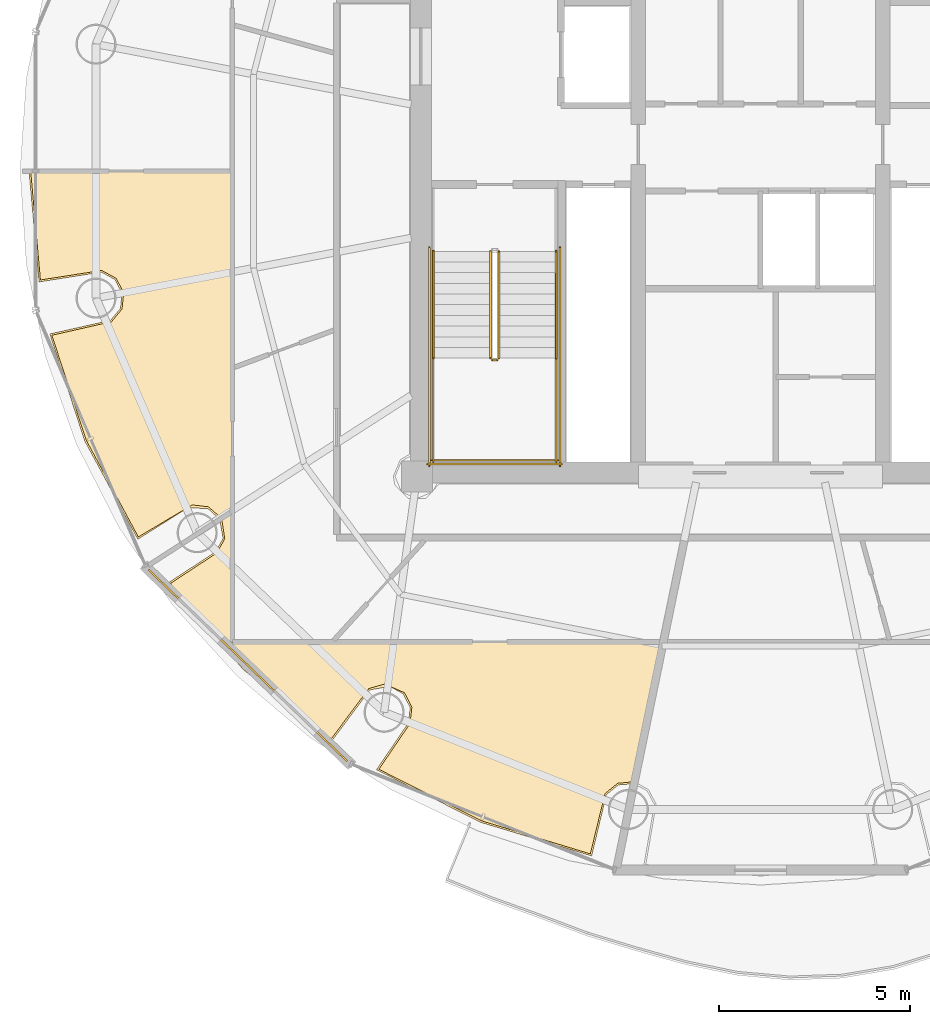
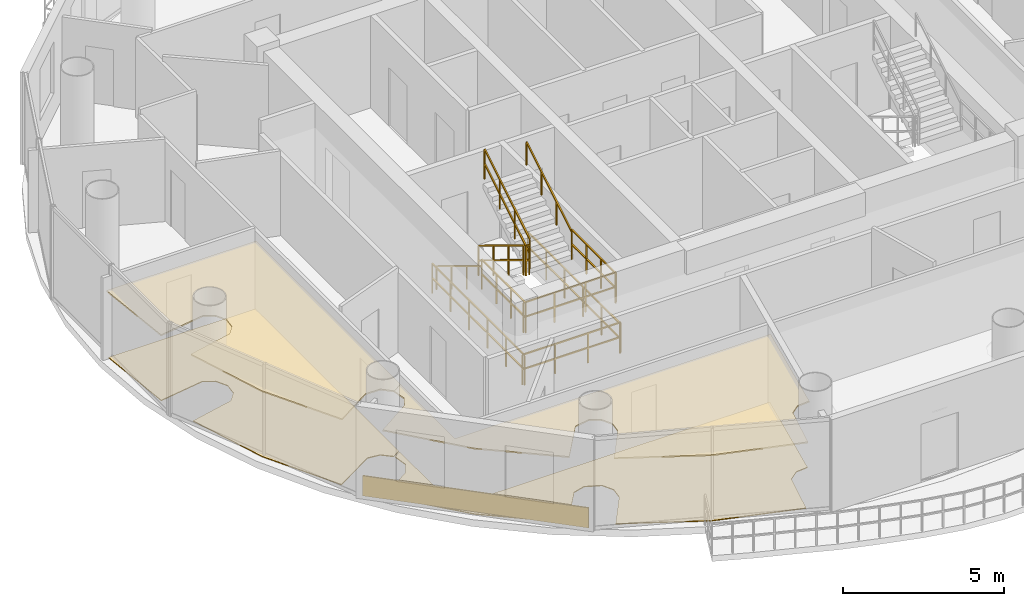
# One storey, part 18 of 21: 11 railings, 5 coverings.
"""IFC4 building model written with IfcOpenShell, lengths in metres."""

from ifc_helpers import new_model, si_unit, direction, frame, origin, origin_2d, place, context, subcontext, project, spatial, polyline, rectangle, outline, extrude, source, transform, mapped, material, layer, layer_set, type_object, element, save


model = new_model("IFC4")

# Units and contexts
model_context = context("Model", 3, precision=1e-05, world=origin(), true_north=direction((-0.2419218956, 0.970295726276)))
body_context = subcontext(model_context, "Body", "Model", "MODEL_VIEW")
ifc_project = project(units=[si_unit("LENGTHUNIT", "METRE"), si_unit("AREAUNIT", "SQUARE_METRE"), si_unit("VOLUMEUNIT", "CUBIC_METRE"), si_unit("PLANEANGLEUNIT", "RADIAN"), si_unit("MASSUNIT", "GRAM", prefix="KILO")], contexts=[model_context])

# Site, building, storey
site_placement = place(None, origin())
site = spatial("IfcSite", under=ifc_project, at=site_placement, CompositionType="ELEMENT")
building_placement = place(site_placement, origin())
building = spatial("IfcBuilding", under=site, at=building_placement, Name="Cobrevalo Terracotta Tower", CompositionType="ELEMENT")
storey_placement = place(building_placement, frame((0.0, 0.0, 281.949951171875)))
storey = spatial("IfcBuildingStorey", under=building, at=storey_placement, Name="L74", CompositionType="ELEMENT", Elevation=281.949951171875)

# Coverings
ifc_material_1 = material(Name="Engineered Brazilian hardwood flooring", Category="wood")
ifc_layer_1 = layer(ifc_material_1, 0.028076171875)
ifc_layer_set_1 = layer_set([ifc_layer_1], Name="Engineered Brazilian hardwood flooring")
covering_type_1 = type_object("IfcCoveringType", Name="Engineered Hardwood Suite Flooring 28", PredefinedType="FLOORING", material=ifc_layer_set_1)
covering_1_placement = place(storey_placement, origin())
element("IfcCovering", 1, at=covering_1_placement, inside=storey, type_object=covering_type_1, Name="Flat L74A Penthouse Family Lounge floor finish", PredefinedType="FLOORING", context=body_context, shape_type="SweptSolid", body=[
    extrude(outline(polyline([(20.33544921875, 19.751220703125), (19.43505859375, 22.49951171875), (20.99755859375, 22.855224609375), (21.272705078125, 23.185302734375), (21.318115234375, 23.612548828125), (21.118408203125, 23.9931640625), (20.740966796875, 24.198486328125), (19.1357421875, 23.948974609375), (18.88134765625, 26.780029296875), (24.14501953125, 26.780029296875), (24.14501953125, 17.900146484375), (23.864501953125, 17.719482421875), (23.537109375, 18.005859375), (23.1103515625, 18.055908203125), (21.699951171875, 17.217529296875), (20.33544921875, 19.751220703125)])), origin(), (0.0, 0.0, 1.0), 0.030029296875),
])
covering_2_placement = place(storey_placement, origin())
element("IfcCovering", 2, at=covering_2_placement, inside=storey, type_object=covering_type_1, Name="Flat L74A Private Cinema Room floor finish", PredefinedType="FLOORING", context=body_context, shape_type="SweptSolid", body=[
    extrude(outline(polyline([(28.00146484375, 11.130126953125), (28.81689453125, 12.327392578125), (28.8671875, 12.754150390625), (28.671630859375, 13.136962890625), (28.152587890625, 13.363525390625), (27.739013671875, 13.246337890625), (26.756103515625, 11.931884765625), (24.47998046875, 13.775390625), (22.5439453125, 16.00048828125), (23.7548828125, 16.794677734375), (23.964599609375, 17.169677734375), (23.885498046875, 17.685546875), (24.14501953125, 17.8525390625), (24.14501953125, 14.445068359375), (35.429931640625, 14.445068359375), (34.678466796875, 10.80322265625), (34.25927734375, 10.763671875), (33.925048828125, 10.49365234375), (33.54052734375, 8.9140625), (30.682861328125, 9.7822265625), (28.00146484375, 11.130126953125)])), origin(), (0.0, 0.0, 1.0), 0.030029296875),
])
ifc_material_2 = material(Name="Acoustic perforated gypsum ceiling", Category="gypsum")
ifc_layer_2 = layer(ifc_material_2, 0.050048828125)
ifc_layer_set_2 = layer_set([ifc_layer_2], Name="Acoustic perforated gypsum ceiling")
covering_type_2 = type_object("IfcCoveringType", Name="Perforated Acoustic Gypsum Ceiling 50", PredefinedType="CEILING", material=ifc_layer_set_2)
covering_3_placement = place(storey_placement, frame((0.0, 0.0, 2.5)))
element("IfcCovering", 3, at=covering_3_placement, inside=storey, type_object=covering_type_2, Name="Flat L74A Penthouse Family Lounge acoustic ceiling", PredefinedType="CEILING", context=body_context, shape_type="SweptSolid", body=[
    extrude(outline(polyline([(20.2939453125, 19.7333984375), (19.3818359375, 22.53515625), (20.97265625, 22.89306640625), (21.23095703125, 23.202880859375), (21.273681640625, 23.60400390625), (21.086181640625, 23.96142578125), (20.731689453125, 24.154296875), (19.100830078125, 23.896484375), (18.833251953125, 26.824951171875), (24.18994140625, 26.824951171875), (24.18994140625, 17.875732421875), (23.853271484375, 17.658935546875), (23.51904296875, 17.964599609375), (22.9873046875, 17.974365234375), (21.687744140625, 17.15625), (20.2939453125, 19.7333984375)])), origin(), (0.0, 0.0, 1.0), 0.050048828125),
])
covering_4_placement = place(storey_placement, frame((0.0, 0.0, 2.5)))
element("IfcCovering", 4, at=covering_4_placement, inside=storey, type_object=covering_type_2, Name="Flat L74A Private Cinema Room acoustic ceiling", PredefinedType="CEILING", context=body_context, shape_type="SweptSolid", body=[
    extrude(outline(polyline([(27.937744140625, 11.11767578125), (28.775634765625, 12.345458984375), (28.822509765625, 12.746337890625), (28.63916015625, 13.10546875), (28.286865234375, 13.30224609375), (27.763427734375, 13.208251953125), (26.768310546875, 11.87060546875), (24.448486328125, 13.742919921875), (22.48046875, 16.01318359375), (23.7236328125, 16.8271484375), (23.92041015625, 17.179443359375), (23.826904296875, 17.701416015625), (24.18994140625, 17.93505859375), (24.18994140625, 14.489990234375), (35.4853515625, 14.489990234375), (34.71435546875, 10.754150390625), (34.2763671875, 10.7216796875), (33.96240234375, 10.46826171875), (33.575439453125, 8.861328125), (30.666259765625, 9.740478515625), (27.937744140625, 11.11767578125)])), origin(), (0.0, 0.0, 1.0), 0.050048828125),
])

# Railings
ifc_material_3 = material(Name="Brushed stainless steel", Category="steel")
railing_type_1 = type_object("IfcRailingType", Name="Stainless Steel Stair Handrail 900", PredefinedType="HANDRAIL", material=ifc_material_3)
railing_1_placement = place(storey_placement, frame((29.425048828125, 24.699951171875, 0.17041015625)))
element("IfcRailing", 5, at=railing_1_placement, inside=storey, type_object=railing_type_1, Name="L74 ST-1 stair handrail 1", PredefinedType="HANDRAIL", context=body_context, shape_type="SweptSolid", body=[
    extrude(rectangle(XDim=0.048095703125, YDim=0.048095703125, at=origin_2d()), frame((0.0, 0.0, 0.8759765625), z_axis=(0.0, -0.854169791009, 0.51999420009), x_axis=(1.0, 0.0, 0.0)), (0.0, 0.0, 1.0), 3.278076171875),
    extrude(rectangle(XDim=0.0419921875, YDim=0.0419921875, at=origin_2d()), origin(), (0.0, 0.0, 1.0), 0.851806640625),
    extrude(rectangle(XDim=0.0419921875, YDim=0.0419921875, at=origin_2d()), frame((0.0, -0.933349609375, 0.568115234375)), (0.0, 0.0, 1.0), 0.851806640625),
    extrude(rectangle(XDim=0.0419921875, YDim=0.0419921875, at=origin_2d()), frame((0.0, -1.86669921875, 1.136474609375)), (0.0, 0.0, 1.0), 0.851806640625),
    extrude(rectangle(XDim=0.0419921875, YDim=0.0419921875, at=origin_2d()), frame((0.0, -2.800048828125, 1.70458984375)), (0.0, 0.0, 1.0), 0.851806640625),
])
railing_2_placement = place(storey_placement, frame((32.64501953125, 21.89990234375, 2.04541015625)))
element("IfcRailing", 6, at=railing_2_placement, inside=storey, type_object=railing_type_1, Name="L74 ST-1 stair handrail 2", PredefinedType="HANDRAIL", context=body_context, shape_type="SweptSolid", body=[
    extrude(rectangle(XDim=0.048095703125, YDim=0.048095703125, at=origin_2d()), frame((0.0, 0.0, 0.8759765625), z_axis=(0.0, 0.854169791009, 0.51999420009), x_axis=(-1.0, 0.0, 0.0)), (0.0, 0.0, 1.0), 3.278076171875),
    extrude(rectangle(XDim=0.0419921875, YDim=0.0419921875, at=origin_2d()), origin(), (0.0, 0.0, 1.0), 0.851806640625),
    extrude(rectangle(XDim=0.0419921875, YDim=0.0419921875, at=origin_2d()), frame((0.0, 0.933349609375, 0.568115234375)), (0.0, 0.0, 1.0), 0.851806640625),
    extrude(rectangle(XDim=0.0419921875, YDim=0.0419921875, at=origin_2d()), frame((0.0, 1.86669921875, 1.136474609375)), (0.0, 0.0, 1.0), 0.851806640625),
    extrude(rectangle(XDim=0.0419921875, YDim=0.0419921875, at=origin_2d()), frame((0.0, 2.800048828125, 1.70458984375)), (0.0, 0.0, 1.0), 0.851806640625),
])
ifc_material_4 = material(Name="Painted galvanized steel", Category="steel")
railing_type_2 = type_object("IfcRailingType", Name="Stair Well Guard Balustrade 1150", PredefinedType="GUARDRAIL", material=ifc_material_4)
railing_3_placement = place(storey_placement, frame((30.925048828125, 24.699951171875, 0.17041015625)))
element("IfcRailing", 7, at=railing_3_placement, inside=storey, type_object=railing_type_2, Name="L74 ST-1 stair guard 1", PredefinedType="GUARDRAIL", context=body_context, shape_type="SweptSolid", body=[
    extrude(rectangle(XDim=0.048095703125, YDim=0.048095703125, at=origin_2d()), frame((0.0, 0.0, 1.1259765625), z_axis=(0.0, -0.854169791009, 0.51999420009), x_axis=(1.0, 0.0, 0.0)), (0.0, 0.0, 1.0), 3.278076171875),
    extrude(rectangle(XDim=0.048095703125, YDim=0.048095703125, at=origin_2d()), frame((0.0, 0.0, 0.574951171875), z_axis=(0.0, -0.854169791009, 0.51999420009), x_axis=(1.0, 0.0, 0.0)), (0.0, 0.0, 1.0), 3.278076171875),
    extrude(rectangle(XDim=0.0419921875, YDim=0.0419921875, at=origin_2d()), origin(), (0.0, 0.0, 1.0), 1.101806640625),
    extrude(rectangle(XDim=0.0419921875, YDim=0.0419921875, at=origin_2d()), frame((0.0, -0.933349609375, 0.568115234375)), (0.0, 0.0, 1.0), 1.101806640625),
    extrude(rectangle(XDim=0.0419921875, YDim=0.0419921875, at=origin_2d()), frame((0.0, -1.86669921875, 1.136474609375)), (0.0, 0.0, 1.0), 1.101806640625),
    extrude(rectangle(XDim=0.0419921875, YDim=0.0419921875, at=origin_2d()), frame((0.0, -2.800048828125, 1.70458984375)), (0.0, 0.0, 1.0), 1.101806640625),
])
railing_4_placement = place(storey_placement, frame((30.97509765625, 21.85009765625, 1.875)))
element("IfcRailing", 8, at=railing_4_placement, inside=storey, type_object=railing_type_2, Name="L74 ST-1 stair guard 2", PredefinedType="GUARDRAIL", context=body_context, shape_type="SweptSolid", body=[
    extrude(rectangle(XDim=0.048095703125, YDim=0.048095703125, at=origin_2d()), frame((0.0, 0.0, 1.1259765625), z_axis=(1.0, 0.0, 0.0), x_axis=(0.0, 1.0, 0.0)), (0.0, 0.0, 1.0), 0.119873046875),
    extrude(rectangle(XDim=0.048095703125, YDim=0.048095703125, at=origin_2d()), frame((0.0, 0.0, 0.574951171875), z_axis=(1.0, 0.0, 0.0), x_axis=(0.0, 1.0, 0.0)), (0.0, 0.0, 1.0), 0.119873046875),
    extrude(rectangle(XDim=0.0419921875, YDim=0.0419921875, at=origin_2d()), origin(), (0.0, 0.0, 1.0), 1.101806640625),
    extrude(rectangle(XDim=0.0419921875, YDim=0.0419921875, at=origin_2d()), frame((0.119873046875, 0.0, 0.0)), (0.0, 0.0, 1.0), 1.101806640625),
])
for number, where, name in (
    (9, (29.425048828125, 21.89990234375, 1.875), "L74 ST-1 stair guard 3"),
    (10, (32.64501953125, 21.89990234375, 1.875), "L74 ST-1 stair guard 4"),
):
    element("IfcRailing", number, at=place(storey_placement, frame(where)), inside=storey, type_object=railing_type_2, Name=name, PredefinedType="GUARDRAIL", context=body_context, shape_type="SweptSolid", body=[
        extrude(rectangle(XDim=0.048095703125, YDim=0.048095703125, at=origin_2d()), frame((0.0, 0.0, 1.1259765625), z_axis=(0.0, -1.0, 0.0), x_axis=(1.0, 0.0, 0.0)), (0.0, 0.0, 1.0), 2.724853515625),
        extrude(rectangle(XDim=0.048095703125, YDim=0.048095703125, at=origin_2d()), frame((0.0, 0.0, 0.574951171875), z_axis=(0.0, -1.0, 0.0), x_axis=(1.0, 0.0, 0.0)), (0.0, 0.0, 1.0), 2.724853515625),
        extrude(rectangle(XDim=0.0419921875, YDim=0.0419921875, at=origin_2d()), origin(), (0.0, 0.0, 1.0), 1.101806640625),
        extrude(rectangle(XDim=0.0419921875, YDim=0.0419921875, at=origin_2d()), frame((0.0, -0.908203125, 0.0)), (0.0, 0.0, 1.0), 1.101806640625),
        extrude(rectangle(XDim=0.0419921875, YDim=0.0419921875, at=origin_2d()), frame((0.0, -1.816650390625, 0.0)), (0.0, 0.0, 1.0), 1.101806640625),
        extrude(rectangle(XDim=0.0419921875, YDim=0.0419921875, at=origin_2d()), frame((0.0, -2.724853515625, 0.0)), (0.0, 0.0, 1.0), 1.101806640625),
    ])
railing_5_placement = place(storey_placement, frame((29.375, 19.22509765625, 1.875)))
element("IfcRailing", 11, at=railing_5_placement, inside=storey, type_object=railing_type_2, Name="L74 ST-1 stair guard 5", PredefinedType="GUARDRAIL", context=body_context, shape_type="SweptSolid", body=[
    extrude(rectangle(XDim=0.048095703125, YDim=0.048095703125, at=origin_2d()), frame((0.0, 0.0, 1.1259765625), z_axis=(1.0, 0.0, 0.0), x_axis=(0.0, 1.0, 0.0)), (0.0, 0.0, 1.0), 3.320068359375),
    extrude(rectangle(XDim=0.048095703125, YDim=0.048095703125, at=origin_2d()), frame((0.0, 0.0, 0.574951171875), z_axis=(1.0, 0.0, 0.0), x_axis=(0.0, 1.0, 0.0)), (0.0, 0.0, 1.0), 3.320068359375),
    extrude(rectangle(XDim=0.0419921875, YDim=0.0419921875, at=origin_2d()), origin(), (0.0, 0.0, 1.0), 1.101806640625),
    extrude(rectangle(XDim=0.0419921875, YDim=0.0419921875, at=origin_2d()), frame((1.106689453125, 0.0, 0.0)), (0.0, 0.0, 1.0), 1.101806640625),
    extrude(rectangle(XDim=0.0419921875, YDim=0.0419921875, at=origin_2d()), frame((2.21337890625, 0.0, 0.0)), (0.0, 0.0, 1.0), 1.101806640625),
    extrude(rectangle(XDim=0.0419921875, YDim=0.0419921875, at=origin_2d()), frame((3.320068359375, 0.0, 0.0)), (0.0, 0.0, 1.0), 1.101806640625),
])
railing_6_placement = place(storey_placement, frame((31.14501953125, 21.89990234375, 2.04541015625)))
element("IfcRailing", 12, at=railing_6_placement, inside=storey, type_object=railing_type_2, Name="L74 ST-1 stair guard 6", PredefinedType="GUARDRAIL", context=body_context, shape_type="SweptSolid", body=[
    extrude(rectangle(XDim=0.048095703125, YDim=0.048095703125, at=origin_2d()), frame((0.0, 0.0, 1.1259765625), z_axis=(0.0, 0.854169791009, 0.51999420009), x_axis=(-1.0, 0.0, 0.0)), (0.0, 0.0, 1.0), 3.278076171875),
    extrude(rectangle(XDim=0.048095703125, YDim=0.048095703125, at=origin_2d()), frame((0.0, 0.0, 0.574951171875), z_axis=(0.0, 0.854169791009, 0.51999420009), x_axis=(-1.0, 0.0, 0.0)), (0.0, 0.0, 1.0), 3.278076171875),
    extrude(rectangle(XDim=0.0419921875, YDim=0.0419921875, at=origin_2d()), origin(), (0.0, 0.0, 1.0), 1.101806640625),
    extrude(rectangle(XDim=0.0419921875, YDim=0.0419921875, at=origin_2d()), frame((0.0, 0.933349609375, 0.568115234375)), (0.0, 0.0, 1.0), 1.101806640625),
    extrude(rectangle(XDim=0.0419921875, YDim=0.0419921875, at=origin_2d()), frame((0.0, 1.86669921875, 1.136474609375)), (0.0, 0.0, 1.0), 1.101806640625),
    extrude(rectangle(XDim=0.0419921875, YDim=0.0419921875, at=origin_2d()), frame((0.0, 2.800048828125, 1.70458984375)), (0.0, 0.0, 1.0), 1.101806640625),
])
for number, where, name in (
    (13, (29.324951171875, 24.800048828125, 0.0), "L74 ST-1 stair guard 10"),
    (14, (32.7451171875, 24.800048828125, 0.0), "L74 ST-1 stair guard 11"),
):
    element("IfcRailing", number, at=place(storey_placement, frame(where)), inside=storey, type_object=railing_type_2, Name=name, PredefinedType="GUARDRAIL", context=body_context, shape_type="SweptSolid", body=[
        extrude(rectangle(XDim=0.048095703125, YDim=0.048095703125, at=origin_2d()), frame((0.0, 0.0, 1.1259765625), z_axis=(0.0, -1.0, 0.0), x_axis=(1.0, 0.0, 0.0)), (0.0, 0.0, 1.0), 5.72509765625),
        extrude(rectangle(XDim=0.048095703125, YDim=0.048095703125, at=origin_2d()), frame((0.0, 0.0, 0.574951171875), z_axis=(0.0, -1.0, 0.0), x_axis=(1.0, 0.0, 0.0)), (0.0, 0.0, 1.0), 5.72509765625),
        extrude(rectangle(XDim=0.0419921875, YDim=0.0419921875, at=origin_2d()), origin(), (0.0, 0.0, 1.0), 1.101806640625),
        extrude(rectangle(XDim=0.0419921875, YDim=0.0419921875, at=origin_2d()), frame((0.0, -1.14501953125, 0.0)), (0.0, 0.0, 1.0), 1.101806640625),
        extrude(rectangle(XDim=0.0419921875, YDim=0.0419921875, at=origin_2d()), frame((0.0, -2.2900390625, 0.0)), (0.0, 0.0, 1.0), 1.101806640625),
        extrude(rectangle(XDim=0.0419921875, YDim=0.0419921875, at=origin_2d()), frame((0.0, -3.43505859375, 0.0)), (0.0, 0.0, 1.0), 1.101806640625),
        extrude(rectangle(XDim=0.0419921875, YDim=0.0419921875, at=origin_2d()), frame((0.0, -4.580078125, 0.0)), (0.0, 0.0, 1.0), 1.101806640625),
        extrude(rectangle(XDim=0.0419921875, YDim=0.0419921875, at=origin_2d()), frame((0.0, -5.72509765625, 0.0)), (0.0, 0.0, 1.0), 1.101806640625),
    ])
railing_7_placement = place(storey_placement, frame((29.27490234375, 19.125, 0.0)))
element("IfcRailing", 15, at=railing_7_placement, inside=storey, type_object=railing_type_2, Name="L74 ST-1 stair guard 12", PredefinedType="GUARDRAIL", context=body_context, shape_type="SweptSolid", body=[
    extrude(rectangle(XDim=0.048095703125, YDim=0.048095703125, at=origin_2d()), frame((0.0, 0.0, 1.1259765625), z_axis=(1.0, 0.0, 0.0), x_axis=(0.0, 1.0, 0.0)), (0.0, 0.0, 1.0), 3.52001953125),
    extrude(rectangle(XDim=0.048095703125, YDim=0.048095703125, at=origin_2d()), frame((0.0, 0.0, 0.574951171875), z_axis=(1.0, 0.0, 0.0), x_axis=(0.0, 1.0, 0.0)), (0.0, 0.0, 1.0), 3.52001953125),
    extrude(rectangle(XDim=0.0419921875, YDim=0.0419921875, at=origin_2d()), origin(), (0.0, 0.0, 1.0), 1.101806640625),
    extrude(rectangle(XDim=0.0419921875, YDim=0.0419921875, at=origin_2d()), frame((1.17333984375, 0.0, 0.0)), (0.0, 0.0, 1.0), 1.101806640625),
    extrude(rectangle(XDim=0.0419921875, YDim=0.0419921875, at=origin_2d()), frame((2.3466796875, 0.0, 0.0)), (0.0, 0.0, 1.0), 1.101806640625),
    extrude(rectangle(XDim=0.0419921875, YDim=0.0419921875, at=origin_2d()), frame((3.52001953125, 0.0, 0.0)), (0.0, 0.0, 1.0), 1.101806640625),
])

# Covering
ifc_material_5 = material(Name="Glazed terracotta facade cladding tile", Category="masonry")
ifc_layer_3 = layer(ifc_material_5, 0.044921875)
ifc_layer_set_3 = layer_set([ifc_layer_3], Name="Glazed terracotta facade cladding tile")
covering_type_3 = type_object("IfcCoveringType", Name="Architectural terracotta rainscreen spandrel cladding 45 mm", PredefinedType="CLADDING", material=ifc_layer_set_3)
shared_shape = source(origin(), body_context, "Body", "SweptSolid", [
    extrude(rectangle(XDim=7.222412109375, YDim=0.044921875, at=origin_2d()), origin(), (0.0, 0.0, 1.0), 0.760009765625),
])
covering_5_placement = place(storey_placement, frame((24.56640625, 13.85205078125, 0.0400390625), z_axis=(0.0, 0.0, 1.0), x_axis=(0.719996603293, -0.693977586992, 0.0)))
element("IfcCovering", 16, at=covering_5_placement, inside=storey, type_object=covering_type_3, Name="L74 terracotta spandrel cladding S10", PredefinedType="CLADDING", context=body_context, shape_type="MappedRepresentation", body=[
    mapped(shared_shape, transform((0.0, 0.0, 0.0), scale=1.0)),
])

save(model, "model.ifc")
